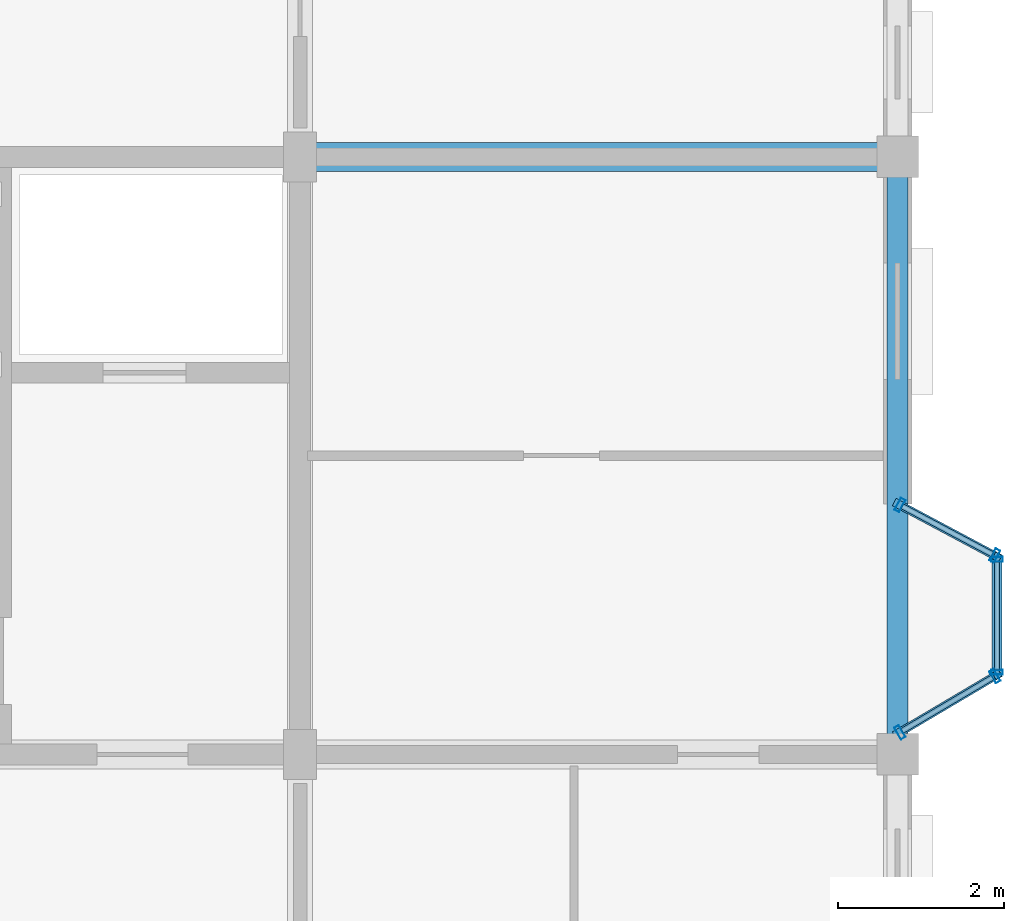
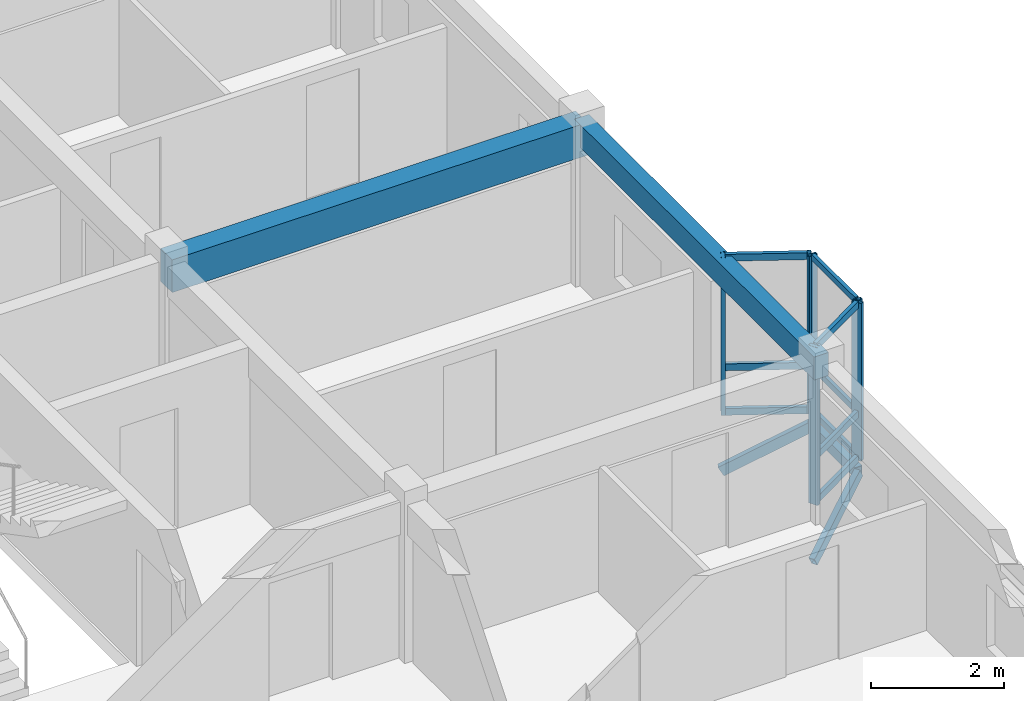
# One storey, part 20 of 64: 18 members, 2 beams, 3 elements without a shape of their own.
"""IFC4 building model written with IfcOpenShell, lengths in metres."""

from ifc_helpers import new_model, si_unit, direction, frame, origin, origin_2d, place, context, subcontext, project, spatial, rectangle, hollow_rectangle, extrude, material, layer, layer_set, material_profile, profile_set, type_object, element, aggregate, save


model = new_model("IFC4")

# Units and contexts
model_context = context("Model", 3, precision=1e-05, world=origin(), true_north=direction((0.0, 1.0)))
body_context = subcontext(model_context, "Body", "Model", "MODEL_VIEW")
ifc_project = project(units=[si_unit("LENGTHUNIT", "METRE"), si_unit("AREAUNIT", "SQUARE_METRE"), si_unit("VOLUMEUNIT", "CUBIC_METRE"), si_unit("PLANEANGLEUNIT", "RADIAN"), si_unit("MASSUNIT", "GRAM", prefix="KILO"), si_unit("THERMODYNAMICTEMPERATUREUNIT", "KELVIN"), si_unit("POWERUNIT", "WATT")], contexts=[model_context])

# Site, building, storey
site_placement = place(None, origin())
site = spatial("IfcSite", under=ifc_project, at=site_placement, CompositionType="ELEMENT")
building_placement = place(site_placement, origin())
building = spatial("IfcBuilding", under=site, at=building_placement, Name="Tavuni Mirador Residences", CompositionType="ELEMENT")
storey_placement = place(building_placement, frame((0.0, 0.0, 26.550048828125)))
storey = spatial("IfcBuildingStorey", under=building, at=storey_placement, Name="L08", CompositionType="ELEMENT", Elevation=26.550048828125)

# Beams
ifc_material_1 = material(Name="Precast concrete C40/50", Category="concrete")
ifc_material_profile_1 = material_profile(ifc_material_1, rectangle(XDim=0.35009765625, YDim=0.60009765625, at=origin_2d()), Name="PC 350x600", Category="concrete")
ifc_profile_set_1 = profile_set([ifc_material_profile_1], Name="Precast concrete C40/50")
beam_type_1 = type_object("IfcBeamType", Name="BT-B600", PredefinedType="BEAM", material=ifc_profile_set_1)
beam_1_placement = place(storey_placement, frame((111.60009765625, 115.199951171875, 2.58984375), z_axis=(1.0, 0.0, 0.0), x_axis=(0.0, 1.0, 0.0)))
element("IfcBeam", 1, at=beam_1_placement, inside=storey, type_object=beam_type_1, Name="BMX-BLK-D-L08-02-04", PredefinedType="BEAM", context=body_context, shape_type="SweptSolid", body=[
    extrude(rectangle(XDim=0.35009765625, YDim=0.60009765625, at=origin_2d()), origin(), (0.0, 0.0, 1.0), 7.199951171875),
])
ifc_material_profile_2 = material_profile(ifc_material_1, rectangle(XDim=0.25, YDim=0.419921875, at=origin_2d()), Name="PC 250x420", Category="concrete")
ifc_profile_set_2 = profile_set([ifc_material_profile_2], Name="Precast concrete C40/50")
beam_type_2 = type_object("IfcBeamType", Name="BT-SP420", PredefinedType="SPANDREL", material=ifc_profile_set_2)
beam_2_placement = place(storey_placement, frame((118.800048828125, 108.0, 2.679931640625), z_axis=(0.0, 1.0, 0.0), x_axis=(-1.0, 0.0, 0.0)))
element("IfcBeam", 2, at=beam_2_placement, inside=storey, type_object=beam_type_2, Name="BMY-BLK-D-L08-03-03", PredefinedType="SPANDREL", context=body_context, shape_type="SweptSolid", body=[
    extrude(rectangle(XDim=0.25, YDim=0.419921875, at=origin_2d()), origin(), (0.0, 0.0, 1.0), 7.199951171875),
])

# Curtain wall, members
ifc_material_2 = material(Name="Anodised aluminium", Category="aluminium")
ifc_layer_1 = layer(ifc_material_2, 0.175048828125, Name="Anodised aluminium", Category="aluminium")
ifc_layer_set_1 = layer_set([ifc_layer_1], Name="Anodised aluminium")
curtain_wall_type_1 = type_object("IfcCurtainWallType", Name="CWT-MIR-C", PredefinedType="NOTDEFINED", material=ifc_layer_set_1)
curtain_wall_1_placement = place(storey_placement, origin())
curtain_wall_1 = element("IfcCurtainWall", 3, at=curtain_wall_1_placement, inside=storey, type_object=curtain_wall_type_1, Name="CW-MIR-D-E2-L08-MF", PredefinedType="NOTDEFINED")
ifc_material_profile_3 = material_profile(ifc_material_2, hollow_rectangle(XDim=0.06005859375, YDim=0.139892578125, WallThickness=0.00390625, at=origin_2d()), Name="ALU 60x140x4.0", Category="aluminium")
ifc_profile_set_3 = profile_set([ifc_material_profile_3], Name="Anodised aluminium")
member_type_1 = type_object("IfcMemberType", Name="CWM-140", PredefinedType="MULLION", material=ifc_profile_set_3)
member_1_placement = place(storey_placement, frame((120.0, 108.989990234375, 0.0), z_axis=(0.0, 0.0, 1.0), x_axis=(0.0, 1.0, 0.0)))
member_1 = element("IfcMember", 4, at=member_1_placement, type_object=member_type_1, Name="CW-03 mullion 1", PredefinedType="MULLION", context=body_context, shape_type="SweptSolid", body=[
    extrude(hollow_rectangle(XDim=0.06005859375, YDim=0.139892578125, WallThickness=0.00390625, at=origin_2d()), origin(), (0.0, 0.0, 1.0), 2.889892578125),
])
member_2_placement = place(storey_placement, frame((120.0, 110.35009765625, 0.0), z_axis=(0.0, 0.0, 1.0), x_axis=(0.0, 1.0, 0.0)))
member_2 = element("IfcMember", 5, at=member_2_placement, type_object=member_type_1, Name="CW-03 mullion 2", PredefinedType="MULLION", context=body_context, shape_type="SweptSolid", body=[
    extrude(hollow_rectangle(XDim=0.06005859375, YDim=0.139892578125, WallThickness=0.00390625, at=origin_2d()), origin(), (0.0, 0.0, 1.0), 2.889892578125),
])

ifc_layer_2 = layer(ifc_material_2, 0.14990234375, Name="Anodised aluminium", Category="aluminium")
ifc_layer_set_2 = layer_set([ifc_layer_2], Name="Anodised aluminium")
curtain_wall_type_2 = type_object("IfcCurtainWallType", Name="CWT-MIR-B", PredefinedType="NOTDEFINED", material=ifc_layer_set_2)
curtain_wall_2_placement = place(storey_placement, origin())
curtain_wall_2 = element("IfcCurtainWall", 6, at=curtain_wall_2_placement, inside=storey, type_object=curtain_wall_type_2, Name="CW-MIR-D-E2-L08-M1", PredefinedType="NOTDEFINED")
ifc_material_profile_4 = material_profile(ifc_material_2, hollow_rectangle(XDim=0.06494140625, YDim=0.1650390625, WallThickness=0.00439453125, at=origin_2d()), Name="ALU 65x165x4.5", Category="aluminium")
ifc_profile_set_4 = profile_set([ifc_material_profile_4], Name="Anodised aluminium")
member_type_2 = type_object("IfcMemberType", Name="CWM-165", PredefinedType="MULLION", material=ifc_profile_set_4)
member_3_placement = place(storey_placement, frame((118.827880859375, 108.2666015625, 0.0), z_axis=(0.0, 0.0, 1.0), x_axis=(0.860640830284, 0.509212491254, 0.0)))
member_3 = element("IfcMember", 7, at=member_3_placement, type_object=member_type_2, Name="CW-02 mullion 1", PredefinedType="MULLION", context=body_context, shape_type="SweptSolid", body=[
    extrude(hollow_rectangle(XDim=0.06494140625, YDim=0.1650390625, WallThickness=0.00439453125, at=origin_2d()), origin(), (0.0, 0.0, 1.0), 2.889892578125),
])
member_4_placement = place(storey_placement, frame((119.971923828125, 108.943359375, 0.0), z_axis=(0.0, 0.0, 1.0), x_axis=(0.860640830284, 0.509212491254, 0.0)))
member_4 = element("IfcMember", 8, at=member_4_placement, type_object=member_type_2, Name="CW-02 mullion 2", PredefinedType="MULLION", context=body_context, shape_type="SweptSolid", body=[
    extrude(hollow_rectangle(XDim=0.06494140625, YDim=0.1650390625, WallThickness=0.00439453125, at=origin_2d()), origin(), (0.0, 0.0, 1.0), 2.889892578125),
])

ifc_layer_3 = layer(ifc_material_2, 0.159912109375, Name="Anodised aluminium", Category="aluminium")
ifc_layer_set_3 = layer_set([ifc_layer_3], Name="Anodised aluminium")
curtain_wall_type_3 = type_object("IfcCurtainWallType", Name="CWT-MIR-D", PredefinedType="NOTDEFINED", material=ifc_layer_set_3)
curtain_wall_3_placement = place(storey_placement, origin())
curtain_wall_3 = element("IfcCurtainWall", 9, at=curtain_wall_3_placement, inside=storey, type_object=curtain_wall_type_3, Name="CW-MIR-D-E2-L08-M2", PredefinedType="NOTDEFINED")
member_5_placement = place(storey_placement, frame((119.971435546875, 110.395263671875, 0.0), z_axis=(0.0, 0.0, 1.0), x_axis=(-0.882352941175, 0.470588235296, 0.0)))
member_5 = element("IfcMember", 10, at=member_5_placement, type_object=member_type_2, Name="CW-04 mullion 1", PredefinedType="MULLION", context=body_context, shape_type="SweptSolid", body=[
    extrude(hollow_rectangle(XDim=0.06494140625, YDim=0.1650390625, WallThickness=0.00439453125, at=origin_2d()), origin(), (0.0, 0.0, 1.0), 2.889892578125),
])
member_6_placement = place(storey_placement, frame((118.82861328125, 111.004638671875, 0.0), z_axis=(0.0, 0.0, 1.0), x_axis=(-0.882352941175, 0.470588235296, 0.0)))
member_6 = element("IfcMember", 11, at=member_6_placement, type_object=member_type_2, Name="CW-04 mullion 2", PredefinedType="MULLION", context=body_context, shape_type="SweptSolid", body=[
    extrude(hollow_rectangle(XDim=0.06494140625, YDim=0.1650390625, WallThickness=0.00439453125, at=origin_2d()), origin(), (0.0, 0.0, 1.0), 2.889892578125),
])

# Member
ifc_material_profile_5 = material_profile(ifc_material_2, hollow_rectangle(XDim=0.06005859375, YDim=0.110107421875, WallThickness=0.00390625, at=origin_2d()), Name="ALU 60x110x4.0", Category="aluminium")
ifc_profile_set_5 = profile_set([ifc_material_profile_5], Name="Anodised aluminium")
member_type_3 = type_object("IfcMemberType", Name="CWT-110", PredefinedType="USERDEFINED", material=ifc_profile_set_5)
member_7_placement = place(storey_placement, frame((120.0, 109.02001953125, 0.030029296875), z_axis=(0.0, 1.0, 0.0), x_axis=(-1.0, 0.0, 0.0)))
member_7 = element("IfcMember", 12, at=member_7_placement, type_object=member_type_3, Name="CW-03 transom 1.1", ObjectType="TRANSOM", PredefinedType="USERDEFINED", context=body_context, shape_type="SweptSolid", body=[
    extrude(hollow_rectangle(XDim=0.06005859375, YDim=0.110107421875, WallThickness=0.00390625, at=origin_2d()), origin(), (0.0, 0.0, 1.0), 1.300048828125),
])

member_8_placement = place(storey_placement, frame((120.0, 109.02001953125, 0.849853515625), z_axis=(0.0, 1.0, 0.0), x_axis=(-1.0, 0.0, 0.0)))
member_8 = element("IfcMember", 13, at=member_8_placement, type_object=member_type_3, Name="CW-03 transom 1.2", ObjectType="TRANSOM", PredefinedType="USERDEFINED", context=body_context, shape_type="SweptSolid", body=[
    extrude(hollow_rectangle(XDim=0.06005859375, YDim=0.110107421875, WallThickness=0.00390625, at=origin_2d()), origin(), (0.0, 0.0, 1.0), 1.300048828125),
])

member_9_placement = place(storey_placement, frame((120.0, 109.02001953125, 2.85986328125), z_axis=(0.0, 1.0, 0.0), x_axis=(-1.0, 0.0, 0.0)))
member_9 = element("IfcMember", 14, at=member_9_placement, type_object=member_type_3, Name="CW-03 transom 1.3", ObjectType="TRANSOM", PredefinedType="USERDEFINED", context=body_context, shape_type="SweptSolid", body=[
    extrude(hollow_rectangle(XDim=0.06005859375, YDim=0.110107421875, WallThickness=0.00390625, at=origin_2d()), origin(), (0.0, 0.0, 1.0), 1.300048828125),
])

aggregate(curtain_wall_1, [member_1, member_2, member_7, member_8, member_9])

ifc_material_profile_6 = material_profile(ifc_material_2, hollow_rectangle(XDim=0.06494140625, YDim=0.125, WallThickness=0.00439453125, at=origin_2d()), Name="ALU 65x125x4.5", Category="aluminium")
ifc_profile_set_6 = profile_set([ifc_material_profile_6], Name="Anodised aluminium")
member_type_4 = type_object("IfcMemberType", Name="CWT-125", PredefinedType="USERDEFINED", material=ifc_profile_set_6)
member_10_placement = place(storey_placement, frame((118.85595703125, 108.283203125, 0.032470703125), z_axis=(0.860645766749, 0.509204147839, 0.0), x_axis=(-0.509204147839, 0.860645766749, 0.0)))
member_10 = element("IfcMember", 15, at=member_10_placement, type_object=member_type_4, Name="CW-02 transom 1.1", ObjectType="TRANSOM", PredefinedType="USERDEFINED", context=body_context, shape_type="SweptSolid", body=[
    extrude(hollow_rectangle(XDim=0.06494140625, YDim=0.125, WallThickness=0.00439453125, at=origin_2d()), origin(), (0.0, 0.0, 1.0), 1.264404296875),
])

member_11_placement = place(storey_placement, frame((118.85595703125, 108.283203125, 0.849853515625), z_axis=(0.860645766749, 0.509204147839, 0.0), x_axis=(-0.509204147839, 0.860645766749, 0.0)))
member_11 = element("IfcMember", 16, at=member_11_placement, type_object=member_type_4, Name="CW-02 transom 1.2", ObjectType="TRANSOM", PredefinedType="USERDEFINED", context=body_context, shape_type="SweptSolid", body=[
    extrude(hollow_rectangle(XDim=0.06494140625, YDim=0.125, WallThickness=0.00439453125, at=origin_2d()), origin(), (0.0, 0.0, 1.0), 1.264404296875),
])

member_12_placement = place(storey_placement, frame((118.85595703125, 108.283203125, 2.857421875), z_axis=(0.860645766749, 0.509204147839, 0.0), x_axis=(-0.509204147839, 0.860645766749, 0.0)))
member_12 = element("IfcMember", 17, at=member_12_placement, type_object=member_type_4, Name="CW-02 transom 1.3", ObjectType="TRANSOM", PredefinedType="USERDEFINED", context=body_context, shape_type="SweptSolid", body=[
    extrude(hollow_rectangle(XDim=0.06494140625, YDim=0.125, WallThickness=0.00439453125, at=origin_2d()), origin(), (0.0, 0.0, 1.0), 1.264404296875),
])

aggregate(curtain_wall_2, [member_3, member_4, member_10, member_11, member_12])

member_13_placement = place(storey_placement, frame((119.942626953125, 110.41064453125, 0.032470703125), z_axis=(-0.882325465843, 0.470639747922, 0.0), x_axis=(-0.470639747922, -0.882325465843, 0.0)))
member_13 = element("IfcMember", 18, at=member_13_placement, type_object=member_type_4, Name="CW-04 transom 1.1", ObjectType="TRANSOM", PredefinedType="USERDEFINED", context=body_context, shape_type="SweptSolid", body=[
    extrude(hollow_rectangle(XDim=0.06494140625, YDim=0.125, WallThickness=0.00439453125, at=origin_2d()), origin(), (0.0, 0.0, 1.0), 1.22998046875),
])

member_14_placement = place(storey_placement, frame((119.942626953125, 110.41064453125, 0.849853515625), z_axis=(-0.882325465843, 0.470639747922, 0.0), x_axis=(-0.470639747922, -0.882325465843, 0.0)))
member_14 = element("IfcMember", 19, at=member_14_placement, type_object=member_type_4, Name="CW-04 transom 1.2", ObjectType="TRANSOM", PredefinedType="USERDEFINED", context=body_context, shape_type="SweptSolid", body=[
    extrude(hollow_rectangle(XDim=0.06494140625, YDim=0.125, WallThickness=0.00439453125, at=origin_2d()), origin(), (0.0, 0.0, 1.0), 1.22998046875),
])

member_15_placement = place(storey_placement, frame((119.942626953125, 110.41064453125, 2.857421875), z_axis=(-0.882325465843, 0.470639747922, 0.0), x_axis=(-0.470639747922, -0.882325465843, 0.0)))
member_15 = element("IfcMember", 20, at=member_15_placement, type_object=member_type_4, Name="CW-04 transom 1.3", ObjectType="TRANSOM", PredefinedType="USERDEFINED", context=body_context, shape_type="SweptSolid", body=[
    extrude(hollow_rectangle(XDim=0.06494140625, YDim=0.125, WallThickness=0.00439453125, at=origin_2d()), origin(), (0.0, 0.0, 1.0), 1.22998046875),
])

aggregate(curtain_wall_3, [member_5, member_6, member_13, member_14, member_15])

# Members
ifc_material_3 = material(Name="Structural steel S355", Category="steel")
ifc_material_profile_7 = material_profile(ifc_material_3, hollow_rectangle(XDim=0.10009765625, YDim=0.179931640625, WallThickness=0.008056640625, at=origin_2d()), Name="RHS 180x100x8.0", Category="steel")
ifc_profile_set_7 = profile_set([ifc_material_profile_7], Name="Structural steel S355")
member_type_5 = type_object("IfcMemberType", Name="MT-BR-RHS180", PredefinedType="BRACE", material=ifc_profile_set_7)
member_16_placement = place(storey_placement, frame((118.800048828125, 108.25, -1.050048828125), z_axis=(0.748787409168, 0.443026202617, 0.492996145691), x_axis=(-0.509207087026, 0.860644027762, 0.0)))
element("IfcMember", 21, at=member_16_placement, inside=storey, type_object=member_type_5, Name="MBRK-MIR-D-E2-L08-1", PredefinedType="BRACE", context=body_context, shape_type="SweptSolid", body=[
    extrude(hollow_rectangle(XDim=0.10009765625, YDim=0.179931640625, WallThickness=0.008056640625, at=origin_2d()), origin(), (0.0, 0.0, 1.0), 1.6025390625),
])
member_17_placement = place(storey_placement, frame((118.800048828125, 111.02001953125, -1.050048828125), z_axis=(0.762920992699, -0.406994678099, 0.502301593565), x_axis=(0.470681405175, 0.882303244255, 0.0)))
element("IfcMember", 22, at=member_17_placement, inside=storey, type_object=member_type_5, Name="MBRK-MIR-D-E2-L08-2", PredefinedType="BRACE", context=body_context, shape_type="SweptSolid", body=[
    extrude(hollow_rectangle(XDim=0.10009765625, YDim=0.179931640625, WallThickness=0.008056640625, at=origin_2d()), origin(), (0.0, 0.0, 1.0), 1.57275390625),
])
ifc_material_profile_8 = material_profile(ifc_material_3, hollow_rectangle(XDim=0.1201171875, YDim=0.199951171875, WallThickness=0.010009765625, at=origin_2d()), Name="RHS 200x120x10.0", Category="steel")
ifc_profile_set_8 = profile_set([ifc_material_profile_8], Name="Structural steel S355")
member_type_6 = type_object("IfcMemberType", Name="MT-ST-RHS200", PredefinedType="STRUT", material=ifc_profile_set_8)
member_18_placement = place(storey_placement, frame((120.0, 108.9599609375, -0.260009765625), z_axis=(0.0, 1.0, 0.0), x_axis=(-1.0, 0.0, 0.0)))
element("IfcMember", 23, at=member_18_placement, inside=storey, type_object=member_type_6, Name="MRIM-MIR-D-E2-L08", PredefinedType="STRUT", context=body_context, shape_type="SweptSolid", body=[
    extrude(hollow_rectangle(XDim=0.1201171875, YDim=0.199951171875, WallThickness=0.010009765625, at=origin_2d()), origin(), (0.0, 0.0, 1.0), 1.419921875),
])

save(model, "model.ifc")
